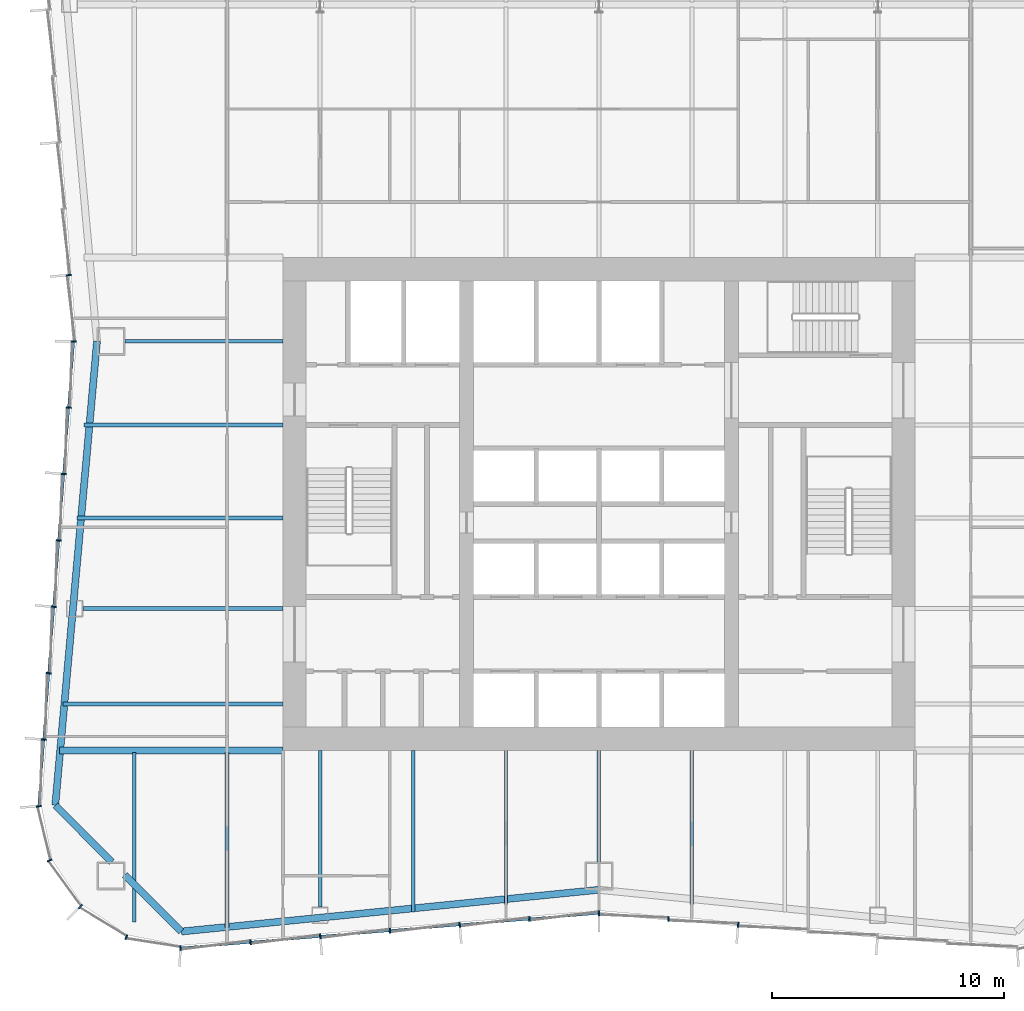
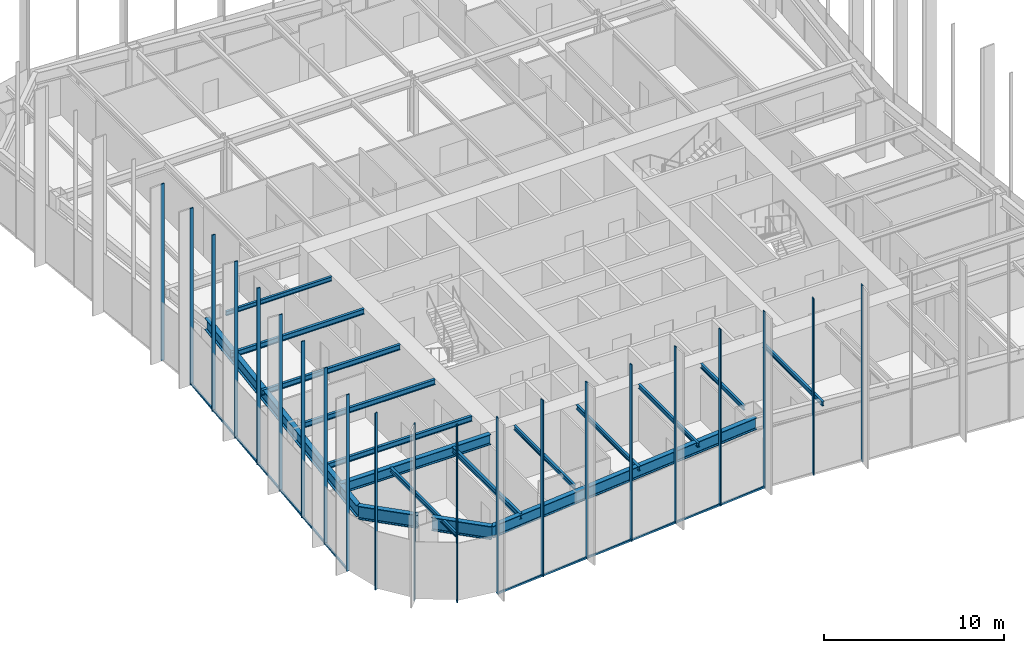
# One storey, part 2 of 14: 23 members, 17 beams, 3 elements without a shape of their own.
"""IFC4 building model written with IfcOpenShell, lengths in metres."""

from ifc_helpers import new_model, si_unit, direction, frame, origin, origin_2d, place, context, subcontext, project, spatial, rectangle, i_section, extrude, material, material_profile, profile_set, type_object, element, aggregate, save


model = new_model("IFC4")

# Units and contexts
model_context = context("Model", 3, precision=1e-05, world=origin(), true_north=direction((0.0, 1.0)))
body_context = subcontext(model_context, "Body", "Model", "MODEL_VIEW")
ifc_project = project(units=[si_unit("LENGTHUNIT", "METRE"), si_unit("AREAUNIT", "SQUARE_METRE"), si_unit("VOLUMEUNIT", "CUBIC_METRE"), si_unit("PLANEANGLEUNIT", "RADIAN"), si_unit("MASSUNIT", "GRAM", prefix="KILO")], contexts=[model_context])

# Site, building, storey
site_placement = place(None, origin())
site = spatial("IfcSite", under=ifc_project, at=site_placement, CompositionType="ELEMENT")
building_placement = place(site_placement, origin())
building = spatial("IfcBuilding", under=site, at=building_placement, Name="Verdant Reach Tower", CompositionType="ELEMENT")
storey_placement = place(building_placement, frame((0.0, 0.0, 150.0)))
storey = spatial("IfcBuildingStorey", under=building, at=storey_placement, Name="L34", CompositionType="ELEMENT", Elevation=150.0)

# Curtain wall, members
ifc_material_1 = material(Name="Anodised aluminium", Category="aluminium")
curtain_wall_type = type_object("IfcCurtainWallType", Name="EN-CW SYSTEM Z2", PredefinedType="NOTDEFINED", material=ifc_material_1)
curtain_wall_1_placement = place(storey_placement, origin())
curtain_wall_1 = element("IfcCurtainWall", 1, at=curtain_wall_1_placement, inside=storey, type_object=curtain_wall_type, Name="Curtain wall west, L34", PredefinedType="NOTDEFINED")
ifc_material_profile_1 = material_profile(ifc_material_1, rectangle(XDim=0.2119140625, YDim=0.06396484375, at=origin_2d()), Name="Mullion 64x212")
ifc_profile_set_1 = profile_set([ifc_material_profile_1], Name="Anodised aluminium")
member_type_1 = type_object("IfcMemberType", Name="EN-MULLION Z2", PredefinedType="MULLION", material=ifc_profile_set_1)
member_1_placement = place(storey_placement, frame((-22.820068359375, 37.84912109375, -0.35009765625), z_axis=(0.0, 0.0, 1.0), x_axis=(-0.997199309888, -0.074789948245, 0.0)))
member_1 = element("IfcMember", 2, at=member_1_placement, type_object=member_type_1, Name="Mullion west face part 1 7, L34", PredefinedType="MULLION", context=body_context, shape_type="SweptSolid", body=[
    extrude(rectangle(XDim=0.2119140625, YDim=0.06396484375, at=origin_2d()), origin(), (0.0, 0.0, 1.0), 12.0),
])
member_2_placement = place(storey_placement, frame((-22.60595703125, 35.0, -0.35009765625), z_axis=(0.0, 0.0, 1.0), x_axis=(-1.0, 0.0, 0.0)))
member_2 = element("IfcMember", 3, at=member_2_placement, type_object=member_type_1, Name="Mullion west face part 2 1, L34", PredefinedType="MULLION", context=body_context, shape_type="SweptSolid", body=[
    extrude(rectangle(XDim=0.2119140625, YDim=0.06396484375, at=origin_2d()), origin(), (0.0, 0.0, 1.0), 12.0),
])
member_3_placement = place(storey_placement, frame((-22.820068359375, 32.15087890625, -0.35009765625), z_axis=(0.0, 0.0, 1.0), x_axis=(-0.997199309888, 0.074789948245, 0.0)))
member_3 = element("IfcMember", 4, at=member_3_placement, type_object=member_type_1, Name="Mullion west face part 2 2, L34", PredefinedType="MULLION", context=body_context, shape_type="SweptSolid", body=[
    extrude(rectangle(XDim=0.2119140625, YDim=0.06396484375, at=origin_2d()), origin(), (0.0, 0.0, 1.0), 12.0),
])
member_4_placement = place(storey_placement, frame((-23.0341796875, 29.293701171875, -0.35009765625), z_axis=(0.0, 0.0, 1.0), x_axis=(-0.997199309888, 0.074789948245, 0.0)))
member_4 = element("IfcMember", 5, at=member_4_placement, type_object=member_type_1, Name="Mullion west face part 2 3, L34", PredefinedType="MULLION", context=body_context, shape_type="SweptSolid", body=[
    extrude(rectangle(XDim=0.2119140625, YDim=0.06396484375, at=origin_2d()), origin(), (0.0, 0.0, 1.0), 12.0),
])
member_5_placement = place(storey_placement, frame((-23.24853515625, 26.4365234375, -0.35009765625), z_axis=(0.0, 0.0, 1.0), x_axis=(-0.997199309888, 0.074789948245, 0.0)))
member_5 = element("IfcMember", 6, at=member_5_placement, type_object=member_type_1, Name="Mullion west face part 2 4, L34", PredefinedType="MULLION", context=body_context, shape_type="SweptSolid", body=[
    extrude(rectangle(XDim=0.2119140625, YDim=0.06396484375, at=origin_2d()), origin(), (0.0, 0.0, 1.0), 12.0),
])
member_6_placement = place(storey_placement, frame((-23.462890625, 23.579345703125, -0.35009765625), z_axis=(0.0, 0.0, 1.0), x_axis=(-0.997199309888, 0.074789948245, 0.0)))
member_6 = element("IfcMember", 7, at=member_6_placement, type_object=member_type_1, Name="Mullion west face part 2 5, L34", PredefinedType="MULLION", context=body_context, shape_type="SweptSolid", body=[
    extrude(rectangle(XDim=0.2119140625, YDim=0.06396484375, at=origin_2d()), origin(), (0.0, 0.0, 1.0), 12.0),
])
member_7_placement = place(storey_placement, frame((-23.67724609375, 20.72216796875, -0.35009765625), z_axis=(0.0, 0.0, 1.0), x_axis=(-0.997199309888, 0.074789948245, 0.0)))
member_7 = element("IfcMember", 8, at=member_7_placement, type_object=member_type_1, Name="Mullion west face part 2 6, L34", PredefinedType="MULLION", context=body_context, shape_type="SweptSolid", body=[
    extrude(rectangle(XDim=0.2119140625, YDim=0.06396484375, at=origin_2d()), origin(), (0.0, 0.0, 1.0), 12.0),
])
member_8_placement = place(storey_placement, frame((-23.891357421875, 17.864990234375, -0.35009765625), z_axis=(0.0, 0.0, 1.0), x_axis=(-0.997199309888, 0.074789948245, 0.0)))
member_8 = element("IfcMember", 9, at=member_8_placement, type_object=member_type_1, Name="Mullion west face part 2 7, L34", PredefinedType="MULLION", context=body_context, shape_type="SweptSolid", body=[
    extrude(rectangle(XDim=0.2119140625, YDim=0.06396484375, at=origin_2d()), origin(), (0.0, 0.0, 1.0), 12.0),
])

curtain_wall_2_placement = place(storey_placement, origin())
curtain_wall_2 = element("IfcCurtainWall", 10, at=curtain_wall_2_placement, inside=storey, type_object=curtain_wall_type, Name="Curtain wall south-west corner, L34", PredefinedType="NOTDEFINED")
member_9_placement = place(storey_placement, frame((-24.105712890625, 14.99365234375, -0.35009765625), z_axis=(0.0, 0.0, 1.0), x_axis=(-0.998155887542, -0.060702752526, 0.0)))
member_9 = element("IfcMember", 11, at=member_9_placement, type_object=member_type_1, Name="Mullion south-west corner 1, L34", PredefinedType="MULLION", context=body_context, shape_type="SweptSolid", body=[
    extrude(rectangle(XDim=0.2119140625, YDim=0.06396484375, at=origin_2d()), origin(), (0.0, 0.0, 1.0), 12.0),
])
member_10_placement = place(storey_placement, frame((-23.64111328125, 12.663330078125, -0.35009765625), z_axis=(0.0, 0.0, 1.0), x_axis=(-0.923875215753, -0.382693853776, 0.0)))
member_10 = element("IfcMember", 12, at=member_10_placement, type_object=member_type_1, Name="Mullion south-west corner 2, L34", PredefinedType="MULLION", context=body_context, shape_type="SweptSolid", body=[
    extrude(rectangle(XDim=0.2119140625, YDim=0.06396484375, at=origin_2d()), origin(), (0.0, 0.0, 1.0), 12.0),
])
member_11_placement = place(storey_placement, frame((-22.317626953125, 10.682373046875, -0.35009765625), z_axis=(0.0, 0.0, 1.0), x_axis=(-0.707106781187, -0.707106781187, 0.0)))
member_11 = element("IfcMember", 13, at=member_11_placement, type_object=member_type_1, Name="Mullion south-west corner 3, L34", PredefinedType="MULLION", context=body_context, shape_type="SweptSolid", body=[
    extrude(rectangle(XDim=0.2119140625, YDim=0.06396484375, at=origin_2d()), origin(), (0.0, 0.0, 1.0), 12.0),
])
member_12_placement = place(storey_placement, frame((-20.336669921875, 9.35888671875, -0.35009765625), z_axis=(0.0, 0.0, 1.0), x_axis=(-0.382693853776, -0.923875215753, 0.0)))
member_12 = element("IfcMember", 14, at=member_12_placement, type_object=member_type_1, Name="Mullion south-west corner 4, L34", PredefinedType="MULLION", context=body_context, shape_type="SweptSolid", body=[
    extrude(rectangle(XDim=0.2119140625, YDim=0.06396484375, at=origin_2d()), origin(), (0.0, 0.0, 1.0), 12.0),
])
aggregate(curtain_wall_2, [member_9, member_10, member_11, member_12])

curtain_wall_3_placement = place(storey_placement, origin())
curtain_wall_3 = element("IfcCurtainWall", 15, at=curtain_wall_3_placement, inside=storey, type_object=curtain_wall_type, Name="Curtain wall south, L34", PredefinedType="NOTDEFINED")
member_13_placement = place(storey_placement, frame((-18.006103515625, 8.894287109375, -0.35009765625), z_axis=(0.0, 0.0, 1.0), x_axis=(-0.056569187765, -0.998398681387, 0.0)))
member_13 = element("IfcMember", 16, at=member_13_placement, type_object=member_type_1, Name="Mullion south face part 1 1, L34", PredefinedType="MULLION", context=body_context, shape_type="SweptSolid", body=[
    extrude(rectangle(XDim=0.2119140625, YDim=0.06396484375, at=origin_2d()), origin(), (0.0, 0.0, 1.0), 12.0),
])
member_14_placement = place(storey_placement, frame((-14.9912109375, 9.144287109375, -0.35009765625), z_axis=(0.0, 0.0, 1.0), x_axis=(0.083045479859, -0.996545758244, 0.0)))
member_14 = element("IfcMember", 17, at=member_14_placement, type_object=member_type_1, Name="Mullion south face part 1 2, L34", PredefinedType="MULLION", context=body_context, shape_type="SweptSolid", body=[
    extrude(rectangle(XDim=0.2119140625, YDim=0.06396484375, at=origin_2d()), origin(), (0.0, 0.0, 1.0), 12.0),
])
member_15_placement = place(storey_placement, frame((-11.9912109375, 9.394287109375, -0.35009765625), z_axis=(0.0, 0.0, 1.0), x_axis=(0.083045479859, -0.996545758244, 0.0)))
member_15 = element("IfcMember", 18, at=member_15_placement, type_object=member_type_1, Name="Mullion south face part 1 3, L34", PredefinedType="MULLION", context=body_context, shape_type="SweptSolid", body=[
    extrude(rectangle(XDim=0.2119140625, YDim=0.06396484375, at=origin_2d()), origin(), (0.0, 0.0, 1.0), 12.0),
])
member_16_placement = place(storey_placement, frame((-8.9912109375, 9.644287109375, -0.35009765625), z_axis=(0.0, 0.0, 1.0), x_axis=(0.083045479859, -0.996545758244, 0.0)))
member_16 = element("IfcMember", 19, at=member_16_placement, type_object=member_type_1, Name="Mullion south face part 1 4, L34", PredefinedType="MULLION", context=body_context, shape_type="SweptSolid", body=[
    extrude(rectangle(XDim=0.2119140625, YDim=0.06396484375, at=origin_2d()), origin(), (0.0, 0.0, 1.0), 12.0),
])
member_17_placement = place(storey_placement, frame((-5.9912109375, 9.894287109375, -0.35009765625), z_axis=(0.0, 0.0, 1.0), x_axis=(0.083045479859, -0.996545758244, 0.0)))
member_17 = element("IfcMember", 20, at=member_17_placement, type_object=member_type_1, Name="Mullion south face part 1 5, L34", PredefinedType="MULLION", context=body_context, shape_type="SweptSolid", body=[
    extrude(rectangle(XDim=0.2119140625, YDim=0.06396484375, at=origin_2d()), origin(), (0.0, 0.0, 1.0), 12.0),
])
member_18_placement = place(storey_placement, frame((-2.9912109375, 10.144287109375, -0.35009765625), z_axis=(0.0, 0.0, 1.0), x_axis=(0.083045479859, -0.996545758244, 0.0)))
member_18 = element("IfcMember", 21, at=member_18_placement, type_object=member_type_1, Name="Mullion south face part 1 6, L34", PredefinedType="MULLION", context=body_context, shape_type="SweptSolid", body=[
    extrude(rectangle(XDim=0.2119140625, YDim=0.06396484375, at=origin_2d()), origin(), (0.0, 0.0, 1.0), 12.0),
])
member_19_placement = place(storey_placement, frame((0.0, 10.39404296875, -0.35009765625), z_axis=(0.0, 0.0, 1.0), x_axis=(0.0, -1.0, 0.0)))
member_19 = element("IfcMember", 22, at=member_19_placement, type_object=member_type_1, Name="Mullion south face part 2 1, L34", PredefinedType="MULLION", context=body_context, shape_type="SweptSolid", body=[
    extrude(rectangle(XDim=0.2119140625, YDim=0.06396484375, at=origin_2d()), origin(), (0.0, 0.0, 1.0), 12.0),
])
member_20_placement = place(storey_placement, frame((2.9912109375, 10.144287109375, -0.35009765625), z_axis=(0.0, 0.0, 1.0), x_axis=(-0.083045479859, -0.996545758244, 0.0)))
member_20 = element("IfcMember", 23, at=member_20_placement, type_object=member_type_1, Name="Mullion south face part 2 2, L34", PredefinedType="MULLION", context=body_context, shape_type="SweptSolid", body=[
    extrude(rectangle(XDim=0.2119140625, YDim=0.06396484375, at=origin_2d()), origin(), (0.0, 0.0, 1.0), 12.0),
])
member_21_placement = place(storey_placement, frame((5.9912109375, 9.894287109375, -0.35009765625), z_axis=(0.0, 0.0, 1.0), x_axis=(-0.083045479859, -0.996545758244, 0.0)))
member_21 = element("IfcMember", 24, at=member_21_placement, type_object=member_type_1, Name="Mullion south face part 2 3, L34", PredefinedType="MULLION", context=body_context, shape_type="SweptSolid", body=[
    extrude(rectangle(XDim=0.2119140625, YDim=0.06396484375, at=origin_2d()), origin(), (0.0, 0.0, 1.0), 12.0),
])

# Member
ifc_material_profile_2 = material_profile(ifc_material_1, rectangle(XDim=0.10009765625, YDim=0.1240234375, at=origin_2d()), Name="Transom 124x100")
ifc_profile_set_2 = profile_set([ifc_material_profile_2], Name="Anodised aluminium")
member_type_2 = type_object("IfcMemberType", Name="EN-TRANSOM Z2", PredefinedType="USERDEFINED", material=ifc_profile_set_2)
member_22_placement = place(storey_placement, frame((-22.6083984375, 34.968017578125, -0.2880859375), z_axis=(-0.07476111665, -0.997201471839, 0.0), x_axis=(0.997201471839, -0.07476111665, 0.0)))
member_22 = element("IfcMember", 25, at=member_22_placement, type_object=member_type_2, Name="Transom west face part 2 1.1, L34", ObjectType="TRANSOM", PredefinedType="USERDEFINED", context=body_context, shape_type="SweptSolid", body=[
    extrude(rectangle(XDim=0.10009765625, YDim=0.1240234375, at=origin_2d()), origin(), (0.0, 0.0, 1.0), 19.99853515625),
])

aggregate(curtain_wall_1, [member_1, member_2, member_3, member_4, member_5, member_6, member_7, member_8, member_22])

member_23_placement = place(storey_placement, frame((-17.97412109375, 8.896728515625, -0.2880859375), z_axis=(0.996548282776, 0.083015179915, 0.0), x_axis=(-0.083015179915, 0.996548282776, 0.0)))
member_23 = element("IfcMember", 26, at=member_23_placement, type_object=member_type_2, Name="Transom south face part 1 1.1, L34", ObjectType="TRANSOM", PredefinedType="USERDEFINED", context=body_context, shape_type="SweptSolid", body=[
    extrude(rectangle(XDim=0.10009765625, YDim=0.1240234375, at=origin_2d()), origin(), (0.0, 0.0, 1.0), 18.00439453125),
])

aggregate(curtain_wall_3, [member_13, member_14, member_15, member_16, member_17, member_18, member_23, member_19, member_20, member_21])

# Beams
ifc_material_2 = material(Name="Steel S355", Category="steel")
ifc_material_profile_3 = material_profile(ifc_material_2, i_section(OverallWidth=0.300048828125, OverallDepth=0.699951171875, WebThickness=0.01708984375, FlangeThickness=0.031982421875, FilletRadius=0.027099609375, at=origin_2d()), Name="HEB 700")
ifc_profile_set_3 = profile_set([ifc_material_profile_3], Name="Steel S355")
beam_type_1 = type_object("IfcBeamType", Name="ST-BEAM-HEB700", PredefinedType="BEAM", material=ifc_profile_set_3)
beam_1_placement = place(storey_placement, frame((-13.60009765625, 17.39990234375, 3.52001953125), z_axis=(-1.0, 0.0, 0.0), x_axis=(0.0, -1.0, 0.0)))
element("IfcBeam", 27, at=beam_1_placement, inside=storey, type_object=beam_type_1, Name="Trimmer beam, L34", PredefinedType="BEAM", context=body_context, shape_type="SweptSolid", body=[
    extrude(i_section(OverallWidth=0.300048828125, OverallDepth=0.699951171875, WebThickness=0.01708984375, FlangeThickness=0.031982421875, FilletRadius=0.027099609375, at=origin_2d()), origin(), (0.0, 0.0, 1.0), 9.6181640625),
])
ifc_material_profile_4 = material_profile(ifc_material_2, i_section(OverallWidth=0.14990234375, OverallDepth=0.300048828125, WebThickness=0.007080078125, FlangeThickness=0.0107421875, FilletRadius=0.014892578125, at=origin_2d()), Name="IPE 300")
ifc_profile_set_4 = profile_set([ifc_material_profile_4], Name="Steel S355")
beam_type_2 = type_object("IfcBeamType", Name="ST-JOIST-IPE300", PredefinedType="JOIST", material=ifc_profile_set_4)
beam_2_placement = place(storey_placement, frame((-20.0, 17.300048828125, 3.719970703125), z_axis=(0.0, -1.0, 0.0), x_axis=(1.0, 0.0, 0.0)))
element("IfcBeam", 28, at=beam_2_placement, inside=storey, type_object=beam_type_2, Name="Floor joist, L34", PredefinedType="JOIST", context=body_context, shape_type="SweptSolid", body=[
    extrude(i_section(OverallWidth=0.14990234375, OverallDepth=0.300048828125, WebThickness=0.007080078125, FlangeThickness=0.0107421875, FilletRadius=0.014892578125, at=origin_2d()), origin(), (0.0, 0.0, 1.0), 7.29052734375),
])
beam_3_placement = place(storey_placement, frame((-12.0, 17.39990234375, 3.719970703125), z_axis=(0.0, -1.0, 0.0), x_axis=(1.0, 0.0, 0.0)))
element("IfcBeam", 29, at=beam_3_placement, inside=storey, type_object=beam_type_2, Name="Floor joist, L34", PredefinedType="JOIST", context=body_context, shape_type="SweptSolid", body=[
    extrude(i_section(OverallWidth=0.14990234375, OverallDepth=0.300048828125, WebThickness=0.007080078125, FlangeThickness=0.0107421875, FilletRadius=0.014892578125, at=origin_2d()), origin(), (0.0, 0.0, 1.0), 6.75),
])
beam_4_placement = place(storey_placement, frame((-8.0, 17.39990234375, 3.719970703125), z_axis=(0.0, -1.0, 0.0), x_axis=(1.0, 0.0, 0.0)))
element("IfcBeam", 30, at=beam_4_placement, inside=storey, type_object=beam_type_2, Name="Floor joist, L34", PredefinedType="JOIST", context=body_context, shape_type="SweptSolid", body=[
    extrude(i_section(OverallWidth=0.14990234375, OverallDepth=0.300048828125, WebThickness=0.007080078125, FlangeThickness=0.0107421875, FilletRadius=0.014892578125, at=origin_2d()), origin(), (0.0, 0.0, 1.0), 6.964599609375),
])
beam_5_placement = place(storey_placement, frame((-4.0, 17.39990234375, 3.719970703125), z_axis=(0.0, -1.0, 0.0), x_axis=(1.0, 0.0, 0.0)))
element("IfcBeam", 31, at=beam_5_placement, inside=storey, type_object=beam_type_2, Name="Floor joist, L34", PredefinedType="JOIST", context=body_context, shape_type="SweptSolid", body=[
    extrude(i_section(OverallWidth=0.14990234375, OverallDepth=0.300048828125, WebThickness=0.007080078125, FlangeThickness=0.0107421875, FilletRadius=0.014892578125, at=origin_2d()), origin(), (0.0, 0.0, 1.0), 6.631103515625),
])
beam_6_placement = place(storey_placement, frame((0.0, 17.39990234375, 3.719970703125), z_axis=(0.0, -1.0, 0.0), x_axis=(1.0, 0.0, 0.0)))
element("IfcBeam", 32, at=beam_6_placement, inside=storey, type_object=beam_type_2, Name="Floor joist, L34", PredefinedType="JOIST", context=body_context, shape_type="SweptSolid", body=[
    extrude(i_section(OverallWidth=0.14990234375, OverallDepth=0.300048828125, WebThickness=0.007080078125, FlangeThickness=0.0107421875, FilletRadius=0.014892578125, at=origin_2d()), origin(), (0.0, 0.0, 1.0), 4.7998046875),
])
beam_7_placement = place(storey_placement, frame((4.0, 17.39990234375, 3.719970703125), z_axis=(0.0, -1.0, 0.0), x_axis=(1.0, 0.0, 0.0)))
element("IfcBeam", 33, at=beam_7_placement, inside=storey, type_object=beam_type_2, Name="Floor joist, L34", PredefinedType="JOIST", context=body_context, shape_type="SweptSolid", body=[
    extrude(i_section(OverallWidth=0.14990234375, OverallDepth=0.300048828125, WebThickness=0.007080078125, FlangeThickness=0.0107421875, FilletRadius=0.014892578125, at=origin_2d()), origin(), (0.0, 0.0, 1.0), 6.631103515625),
])
beam_8_placement = place(storey_placement, frame((-13.60009765625, 35.0, 3.719970703125), z_axis=(-1.0, 0.0, 0.0), x_axis=(0.0, -1.0, 0.0)))
element("IfcBeam", 34, at=beam_8_placement, inside=storey, type_object=beam_type_2, Name="Floor joist, L34", PredefinedType="JOIST", context=body_context, shape_type="SweptSolid", body=[
    extrude(i_section(OverallWidth=0.14990234375, OverallDepth=0.300048828125, WebThickness=0.007080078125, FlangeThickness=0.0107421875, FilletRadius=0.014892578125, at=origin_2d()), origin(), (0.0, 0.0, 1.0), 6.7998046875),
])
ifc_material_profile_5 = material_profile(ifc_material_2, i_section(OverallWidth=0.169921875, OverallDepth=0.360107421875, WebThickness=0.008056640625, FlangeThickness=0.0126953125, FilletRadius=0.01806640625, at=origin_2d()), Name="IPE 360")
ifc_profile_set_5 = profile_set([ifc_material_profile_5], Name="Steel S355")
beam_type_3 = type_object("IfcBeamType", Name="ST-JOIST-IPE360", PredefinedType="JOIST", material=ifc_profile_set_5)
beam_9_placement = place(storey_placement, frame((-16.0, 17.300048828125, 3.68994140625), z_axis=(0.0, -1.0, 0.0), x_axis=(1.0, 0.0, 0.0)))
element("IfcBeam", 35, at=beam_9_placement, inside=storey, type_object=beam_type_3, Name="Floor joist, L34", PredefinedType="JOIST", context=body_context, shape_type="SweptSolid", body=[
    extrude(i_section(OverallWidth=0.169921875, OverallDepth=0.360107421875, WebThickness=0.008056640625, FlangeThickness=0.0126953125, FilletRadius=0.01806640625, at=origin_2d()), origin(), (0.0, 0.0, 1.0), 7.53125),
])
beam_10_placement = place(storey_placement, frame((-13.60009765625, 19.39990234375, 3.68994140625), z_axis=(-1.0, 0.0, 0.0), x_axis=(0.0, -1.0, 0.0)))
element("IfcBeam", 36, at=beam_10_placement, inside=storey, type_object=beam_type_3, Name="Floor joist, L34", PredefinedType="JOIST", context=body_context, shape_type="SweptSolid", body=[
    extrude(i_section(OverallWidth=0.169921875, OverallDepth=0.360107421875, WebThickness=0.008056640625, FlangeThickness=0.0126953125, FilletRadius=0.01806640625, at=origin_2d()), origin(), (0.0, 0.0, 1.0), 9.46826171875),
])
beam_11_placement = place(storey_placement, frame((-13.60009765625, 23.5, 3.68994140625), z_axis=(-1.0, 0.0, 0.0), x_axis=(0.0, -1.0, 0.0)))
element("IfcBeam", 37, at=beam_11_placement, inside=storey, type_object=beam_type_3, Name="Floor joist, L34", PredefinedType="JOIST", context=body_context, shape_type="SweptSolid", body=[
    extrude(i_section(OverallWidth=0.169921875, OverallDepth=0.360107421875, WebThickness=0.008056640625, FlangeThickness=0.0126953125, FilletRadius=0.01806640625, at=origin_2d()), origin(), (0.0, 0.0, 1.0), 8.6123046875),
])
beam_12_placement = place(storey_placement, frame((-13.60009765625, 27.39990234375, 3.68994140625), z_axis=(-1.0, 0.0, 0.0), x_axis=(0.0, -1.0, 0.0)))
element("IfcBeam", 38, at=beam_12_placement, inside=storey, type_object=beam_type_3, Name="Floor joist, L34", PredefinedType="JOIST", context=body_context, shape_type="SweptSolid", body=[
    extrude(i_section(OverallWidth=0.169921875, OverallDepth=0.360107421875, WebThickness=0.008056640625, FlangeThickness=0.0126953125, FilletRadius=0.01806640625, at=origin_2d()), origin(), (0.0, 0.0, 1.0), 8.8681640625),
])
beam_13_placement = place(storey_placement, frame((-13.60009765625, 31.39990234375, 3.68994140625), z_axis=(-1.0, 0.0, 0.0), x_axis=(0.0, -1.0, 0.0)))
element("IfcBeam", 39, at=beam_13_placement, inside=storey, type_object=beam_type_3, Name="Floor joist, L34", PredefinedType="JOIST", context=body_context, shape_type="SweptSolid", body=[
    extrude(i_section(OverallWidth=0.169921875, OverallDepth=0.360107421875, WebThickness=0.008056640625, FlangeThickness=0.0126953125, FilletRadius=0.01806640625, at=origin_2d()), origin(), (0.0, 0.0, 1.0), 8.568115234375),
])
ifc_material_profile_6 = material_profile(ifc_material_2, i_section(OverallWidth=0.300048828125, OverallDepth=0.800048828125, WebThickness=0.017578125, FlangeThickness=0.032958984375, FilletRadius=0.030029296875, at=origin_2d()), Name="HEB 800")
ifc_profile_set_6 = profile_set([ifc_material_profile_6], Name="Steel S355")
beam_type_4 = type_object("IfcBeamType", Name="ST-SPANDREL-HEB800", PredefinedType="SPANDREL", material=ifc_profile_set_6)
beam_14_placement = place(storey_placement, frame((0.0, 11.39990234375, 3.469970703125), z_axis=(-0.995046289869, -0.099412680371, 0.0), x_axis=(0.099412680371, -0.995046289869, 0.0)))
element("IfcBeam", 40, at=beam_14_placement, inside=storey, type_object=beam_type_4, Name="Edge beam, L34", PredefinedType="SPANDREL", context=body_context, shape_type="SweptSolid", body=[
    extrude(i_section(OverallWidth=0.300048828125, OverallDepth=0.800048828125, WebThickness=0.017578125, FlangeThickness=0.032958984375, FilletRadius=0.030029296875, at=origin_2d()), origin(), (0.0, 0.0, 1.0), 18.05517578125),
])
beam_15_placement = place(storey_placement, frame((-23.3955078125, 15.036865234375, 3.469970703125), z_axis=(0.089574749266, 0.995980102358, 0.0), x_axis=(-0.995980102358, 0.089574749266, 0.0)))
element("IfcBeam", 41, at=beam_15_placement, inside=storey, type_object=beam_type_4, Name="Edge beam, L34", PredefinedType="SPANDREL", context=body_context, shape_type="SweptSolid", body=[
    extrude(i_section(OverallWidth=0.300048828125, OverallDepth=0.800048828125, WebThickness=0.017578125, FlangeThickness=0.032958984375, FilletRadius=0.030029296875, at=origin_2d()), origin(), (0.0, 0.0, 1.0), 20.043701171875),
])
ifc_material_profile_7 = material_profile(ifc_material_2, i_section(OverallWidth=0.302001953125, OverallDepth=0.909912109375, WebThickness=0.02099609375, FlangeThickness=0.0400390625, FilletRadius=0.030029296875, at=origin_2d()), Name="HEM 900")
ifc_profile_set_7 = profile_set([ifc_material_profile_7], Name="Steel S355")
beam_type_5 = type_object("IfcBeamType", Name="ST-SPANDREL-HEM900", PredefinedType="SPANDREL", material=ifc_profile_set_7)
beam_16_placement = place(storey_placement, frame((-17.9658203125, 9.60498046875, 3.4150390625), z_axis=(-0.70696494852, 0.70724858541, 0.0), x_axis=(-0.70724858541, -0.70696494852, 0.0)))
element("IfcBeam", 42, at=beam_16_placement, inside=storey, type_object=beam_type_5, Name="Edge beam, L34", PredefinedType="SPANDREL", context=body_context, shape_type="SweptSolid", body=[
    extrude(i_section(OverallWidth=0.302001953125, OverallDepth=0.909912109375, WebThickness=0.02099609375, FlangeThickness=0.0400390625, FilletRadius=0.030029296875, at=origin_2d()), origin(), (0.0, 0.0, 1.0), 3.443115234375),
])
beam_17_placement = place(storey_placement, frame((-20.959716796875, 12.60009765625, 3.4150390625), z_axis=(-0.706965048022, 0.707248485948, 0.0), x_axis=(-0.707248485948, -0.706965048022, 0.0)))
element("IfcBeam", 43, at=beam_17_placement, inside=storey, type_object=beam_type_5, Name="Edge beam, L34", PredefinedType="SPANDREL", context=body_context, shape_type="SweptSolid", body=[
    extrude(i_section(OverallWidth=0.302001953125, OverallDepth=0.909912109375, WebThickness=0.02099609375, FlangeThickness=0.0400390625, FilletRadius=0.030029296875, at=origin_2d()), origin(), (0.0, 0.0, 1.0), 3.4453125),
])

save(model, "model.ifc")
